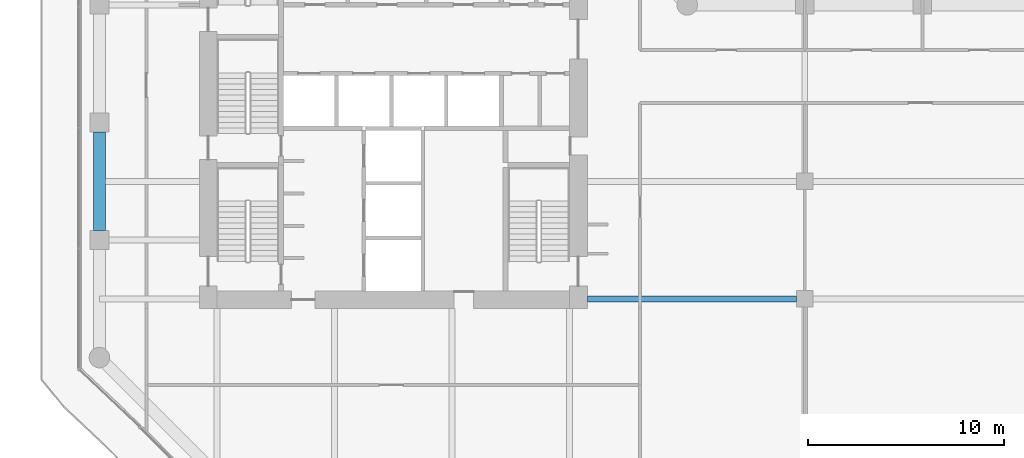
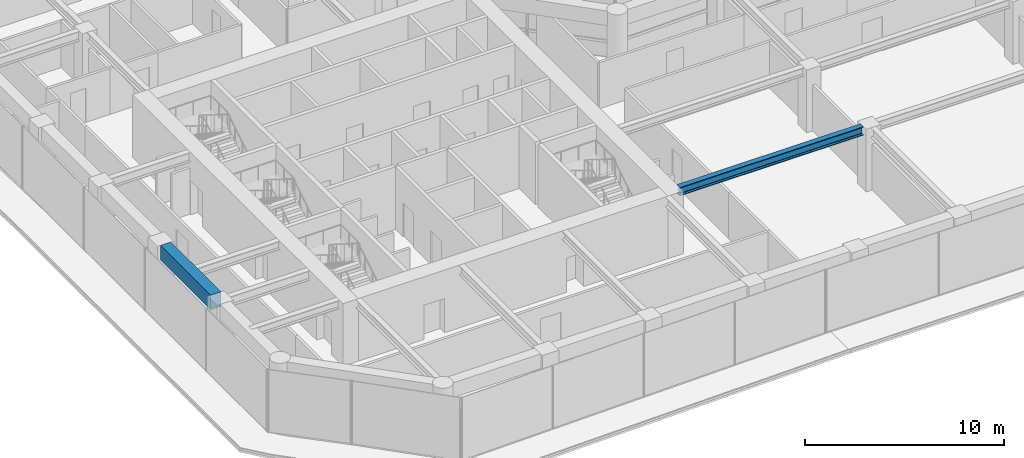
# One storey, part 4 of 29: 2 beams.
"""IFC4 building model written with IfcOpenShell, lengths in metres."""

import ifcopenshell
import ifcopenshell.guid

model = None  # the IFC model being written
_history = None  # IfcOwnerHistory: only IFC2X3 demands one
_inside = {}  # id of a spatial element -> (the spatial element, [elements in it])
_under = {}  # id of a project, library or spatial element -> (it, [spatial elements below it])
_declared = {}  # id of a project -> (the project, [libraries it declares])
_typed = {}  # id of a type object -> (the type object, [elements of that type])
_made_of = {}  # id of a material, layer set ... -> (it, [elements and type objects made of it])


def new_model(schema):
    """Start an empty IFC model of exactly this schema.

    Asked for "IFC4X3", IfcOpenShell would pick the latest addendum, in which some entities
    have other attributes; the version numbers below select the first issue.
    IFC2X3 requires an IfcOwnerHistory on every rooted entity: one is made here for all.
    """
    global model, _history
    if schema == "IFC4X3":
        model = ifcopenshell.file(schema_version=(4, 3, 0, 0))
    else:
        model = ifcopenshell.file(schema=schema)
    _inside.clear()
    _under.clear()
    _declared.clear()
    _typed.clear()
    _made_of.clear()
    _history = None
    if model.schema == "IFC2X3":
        org = make("IfcOrganization", Name="unknown")
        user = make(
            "IfcPersonAndOrganization",
            ThePerson=make("IfcPerson", FamilyName="unknown"),
            TheOrganization=org,
        )
        app = make(
            "IfcApplication",
            ApplicationDeveloper=org,
            Version="unknown",
            ApplicationFullName="unknown",
            ApplicationIdentifier="unknown",
        )
        _history = make(
            "IfcOwnerHistory",
            OwningUser=user,
            OwningApplication=app,
            ChangeAction="ADDED",
            CreationDate=0,
        )
    return model


def make(cls, **values):
    """One entity of the class cls with the attributes given. An attribute that is None is left unset."""
    return model.create_entity(
        cls, **{name: value for name, value in values.items() if value is not None}
    )


def rooted(cls, **values):
    """An entity with a GlobalId (a new one), such as an element, a storey or a relation."""
    return make(cls, GlobalId=ifcopenshell.guid.new(), OwnerHistory=_history, **values)


def si_unit(unit_type, name, prefix=None):
    """IfcSIUnit, for example si_unit("LENGTHUNIT", "METRE", prefix="MILLI")."""
    return make("IfcSIUnit", UnitType=unit_type, Prefix=prefix, Name=name)


def assignment(units):
    """IfcUnitAssignment: the units of a project."""
    return None if units is None else make("IfcUnitAssignment", Units=units)


def point(xyz):
    """IfcCartesianPoint."""
    return None if xyz is None else make("IfcCartesianPoint", Coordinates=xyz)


def direction(xyz):
    """IfcDirection."""
    return None if xyz is None else make("IfcDirection", DirectionRatios=xyz)


def frame(location, z_axis=None, x_axis=None):
    """IfcAxis2Placement3D, a coordinate frame: its origin and axes. An axis left out is left unset."""
    return make(
        "IfcAxis2Placement3D",
        Location=point(location),
        Axis=direction(z_axis),
        RefDirection=direction(x_axis),
    )


def frame_2d(location, x_axis=None):
    """IfcAxis2Placement2D, a coordinate frame in the plane: its origin and x axis."""
    return make(
        "IfcAxis2Placement2D", Location=point(location), RefDirection=direction(x_axis)
    )


def origin():
    """The frame at (0, 0, 0) with its axes left unset."""
    return frame((0.0, 0.0, 0.0))


def origin_2d():
    """The frame at (0, 0) in the plane with its x axis left unset."""
    return frame_2d((0.0, 0.0))


def place(relative_to, where):
    """IfcLocalPlacement: puts the frame where relative to a parent placement (None: the world)."""
    return make(
        "IfcLocalPlacement", PlacementRelTo=relative_to, RelativePlacement=where
    )


def context(
    kind, dimensions, precision=None, world=None, true_north=None, identifier=None
):
    """IfcGeometricRepresentationContext, for example the 3D "Model" context."""
    return make(
        "IfcGeometricRepresentationContext",
        ContextIdentifier=identifier,
        ContextType=kind,
        CoordinateSpaceDimension=dimensions,
        Precision=precision,
        WorldCoordinateSystem=world,
        TrueNorth=true_north,
    )


def subcontext(parent, identifier, kind, view, scale=None):
    """IfcGeometricRepresentationSubContext, for example "Body" below "Model"."""
    return make(
        "IfcGeometricRepresentationSubContext",
        ContextIdentifier=identifier,
        ContextType=kind,
        ParentContext=parent,
        TargetScale=scale,
        TargetView=view,
    )


def project(units=None, contexts=None):
    """IfcProject with its units and contexts."""
    return rooted(
        "IfcProject",
        Name="project",
        RepresentationContexts=contexts,
        UnitsInContext=assignment(units),
    )


def spatial(cls, under=None, at=None, **own):
    """A site, building, storey or space (cls), placed at a placement, below another one or the project."""
    s = rooted(cls, ObjectPlacement=at, **own)
    if under is not None:
        _under.setdefault(under.id(), (under, []))[1].append(s)
    return s


def profile(cls, at=None, kind="AREA", **sizes):
    """A parametric profile (cls). Its sizes go by their IFC names, for example OverallWidth=200.0."""
    return make(cls, ProfileType=kind, Position=at, **sizes)


def rectangle(**sizes):
    """IfcRectangleProfileDef."""
    return profile("IfcRectangleProfileDef", **sizes)


def i_section(**sizes):
    """IfcIShapeProfileDef."""
    return profile("IfcIShapeProfileDef", **sizes)


def extrude(swept, where, along, depth):
    """IfcExtrudedAreaSolid: the profile swept, set in the frame where, extruded along a direction by depth."""
    return make(
        "IfcExtrudedAreaSolid",
        SweptArea=swept,
        Position=where,
        ExtrudedDirection=direction(along),
        Depth=depth,
    )


def shape(context_of_items, identifier, shape_type, items):
    """IfcShapeRepresentation: the items that make up one representation, for example the "Body"."""
    return make(
        "IfcShapeRepresentation",
        ContextOfItems=context_of_items,
        RepresentationIdentifier=identifier,
        RepresentationType=shape_type,
        Items=items,
    )


def material(Name=None, Category=None):
    """IfcMaterial."""
    return make("IfcMaterial", Name=Name, Category=Category)


def material_profile(
    of_material, cross_section, Name=None, Category=None, Priority=None
):
    """IfcMaterialProfile: a cross section and its material."""
    return make(
        "IfcMaterialProfile",
        Name=Name,
        Material=of_material,
        Profile=cross_section,
        Priority=Priority,
        Category=Category,
    )


def profile_set(profiles, Name=None, composite=None):
    """IfcMaterialProfileSet."""
    return make(
        "IfcMaterialProfileSet",
        Name=Name,
        MaterialProfiles=profiles,
        CompositeProfile=composite,
    )


def made_of(thing, what):
    """Note that an element or type object is made of a material, layer set ...; save() writes the relation."""
    if what is not None:
        _made_of.setdefault(what.id(), (what, []))[1].append(thing)
    return thing


def type_object(cls, material=None, **own):
    """A type object (cls), such as IfcWallType, which elements share."""
    return made_of(rooted(cls, **own), material)


def element(
    cls,
    number,
    at=None,
    inside=None,
    cuts=None,
    type_object=None,
    material=None,
    context=None,
    identifier="Body",
    shape_type=None,
    held_by="IfcProductDefinitionShape",
    body=None,
    shapes=None,
    **own,
):
    """One element of the class cls, such as IfcWall. Its Tag is "e" and its number.

    at: its placement. inside: the storey or other place that contains it. cuts: it is an
    opening in that element (IfcRelVoidsElement). A single representation is given by context,
    identifier, shape_type and body (its items); several are given by shapes. held_by: the class
    of the entity that holds the representations. save() writes the other relations.
    """
    e = rooted(cls, Tag="e%d" % number, ObjectPlacement=at, **own)
    if body is not None:
        shapes = [shape(context, identifier, shape_type, body)]
    if shapes is not None:
        e.Representation = make(held_by, Representations=shapes)
    if inside is not None:
        _inside.setdefault(inside.id(), (inside, []))[1].append(e)
    if cuts is not None:
        rooted(
            "IfcRelVoidsElement", RelatingBuildingElement=cuts, RelatedOpeningElement=e
        )
    if type_object is not None:
        _typed.setdefault(type_object.id(), (type_object, []))[1].append(e)
    return made_of(e, material)


def aggregate(whole, parts):
    """IfcRelAggregates: a whole, such as a stair, and the parts it consists of."""
    return rooted("IfcRelAggregates", RelatingObject=whole, RelatedObjects=parts)


def save(model, path):
    """Write the relations noted so far, then the file.

    IfcRelAggregates (storeys below a building ...), IfcRelContainedInSpatialStructure (elements
    in a storey), IfcRelDefinesByType, IfcRelAssociatesMaterial and IfcRelDeclares: one each for
    every whole, place, type object, material and project.
    """
    for whole, parts in _under.values():
        aggregate(whole, parts)
    for where, things in _inside.values():
        rooted(
            "IfcRelContainedInSpatialStructure",
            RelatedElements=things,
            RelatingStructure=where,
        )
    for kind, things in _typed.values():
        rooted("IfcRelDefinesByType", RelatedObjects=things, RelatingType=kind)
    for what, things in _made_of.values():
        rooted("IfcRelAssociatesMaterial", RelatedObjects=things, RelatingMaterial=what)
    for by, libraries in _declared.values():
        rooted("IfcRelDeclares", RelatingContext=by, RelatedDefinitions=libraries)
    model.write(path)


model = new_model("IFC4")

# Units and contexts
model_context = context("Model", 3, precision=1e-05, world=origin(), true_north=direction((0.0, 1.0)))
body_context = subcontext(model_context, "Body", "Model", "MODEL_VIEW")
ifc_project = project(units=[si_unit("LENGTHUNIT", "METRE"), si_unit("AREAUNIT", "SQUARE_METRE"), si_unit("VOLUMEUNIT", "CUBIC_METRE"), si_unit("PLANEANGLEUNIT", "RADIAN"), si_unit("MASSUNIT", "GRAM", prefix="KILO")], contexts=[model_context])

# Site, building, storey
site_placement = place(None, origin())
site = spatial("IfcSite", under=ifc_project, at=site_placement, CompositionType="ELEMENT")
building_placement = place(site_placement, origin())
building = spatial("IfcBuilding", under=site, at=building_placement, Name="Welwitschia Terrace Campus", CompositionType="ELEMENT")
storey_placement = place(building_placement, frame((0.0, 0.0, 58.39990234375)))
storey = spatial("IfcBuildingStorey", under=building, at=storey_placement, Name="L13", CompositionType="ELEMENT", Elevation=58.39990234375)

# Beams
ifc_material_1 = material(Name="Steel S355", Category="steel")
ifc_material_profile_1 = material_profile(ifc_material_1, i_section(OverallWidth=0.305908203125, OverallDepth=0.52392578125, WebThickness=0.02099609375, FlangeThickness=0.0400390625, FilletRadius=0.027099609375, at=origin_2d()))
ifc_profile_set_1 = profile_set([ifc_material_profile_1], Name="Steel S355")
beam_type_1 = type_object("IfcBeamType", Name="Interior girder HE 500 M", PredefinedType="BEAM", material=ifc_profile_set_1)
beam_1_placement = place(storey_placement, frame((24.90087890625, 5.0, 3.588134765625), z_axis=(1.0, 0.0, 0.0), x_axis=(0.0, 1.0, 0.0)))
element("IfcBeam", 1, at=beam_1_placement, inside=storey, type_object=beam_type_1, Name="Girder GB2", PredefinedType="BEAM", context=body_context, shape_type="SweptSolid", body=[
    extrude(i_section(OverallWidth=0.305908203125, OverallDepth=0.52392578125, WebThickness=0.02099609375, FlangeThickness=0.0400390625, FilletRadius=0.027099609375, at=origin_2d()), origin(), (0.0, 0.0, 1.0), 10.673583984375),
])
ifc_material_2 = material(Name="Concrete C60/75", Category="concrete")
ifc_material_profile_2 = material_profile(ifc_material_2, rectangle(XDim=0.60009765625, YDim=0.89990234375, at=origin_2d()))
ifc_profile_set_2 = profile_set([ifc_material_profile_2], Name="Concrete C60/75")
beam_type_2 = type_object("IfcBeamType", Name="Ring spandrel 600x900", PredefinedType="SPANDREL", material=ifc_profile_set_2)
beam_2_placement = place(storey_placement, frame((0.0, 13.5244140625, 3.400146484375), z_axis=(0.0, -1.0, 0.0), x_axis=(1.0, 0.0, 0.0)))
element("IfcBeam", 2, at=beam_2_placement, inside=storey, type_object=beam_type_2, Name="Spandrel SP2", PredefinedType="SPANDREL", context=body_context, shape_type="SweptSolid", body=[
    extrude(rectangle(XDim=0.60009765625, YDim=0.89990234375, at=origin_2d()), origin(), (0.0, 0.0, 1.0), 5.048828125),
])

save(model, "model.ifc")
